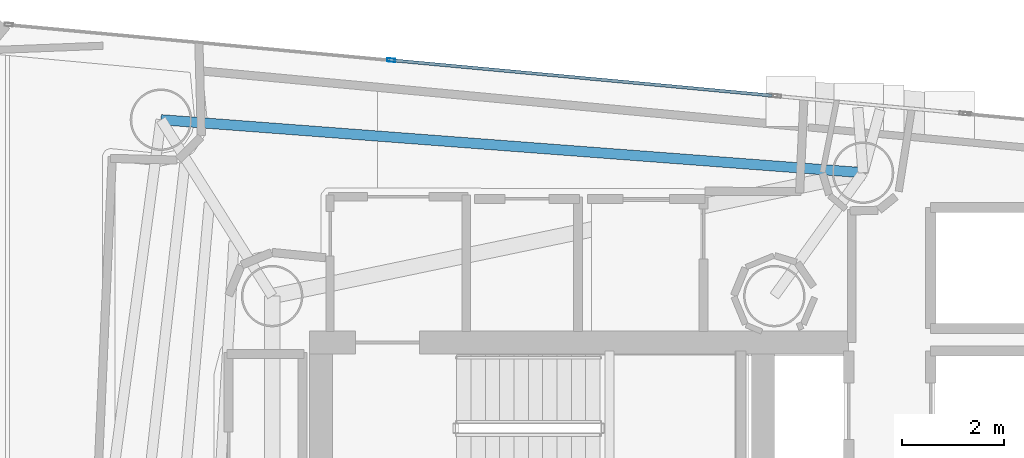
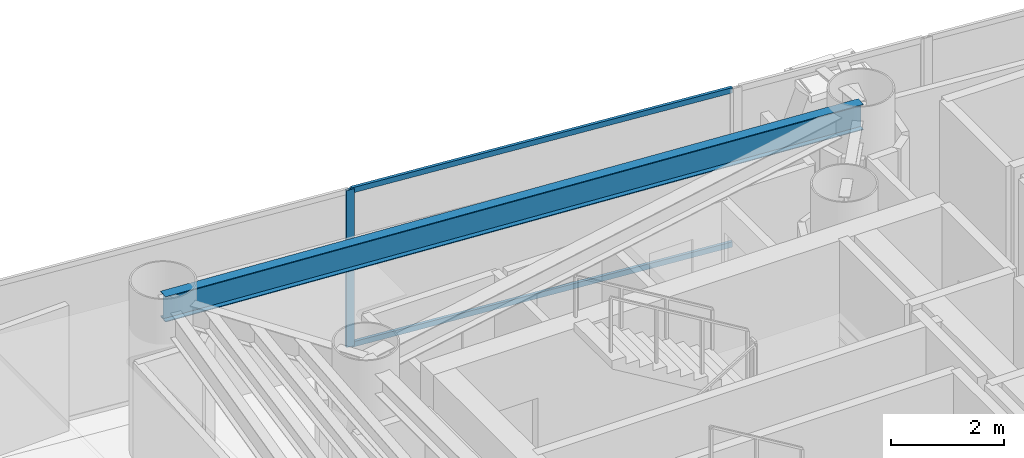
# One storey, part 11 of 20: 3 members, 1 beam, 1 element without a shape of its own.
"""IFC4 building model written with IfcOpenShell, lengths in metres."""

from ifc_helpers import new_model, si_unit, direction, frame, origin, origin_2d, place, context, subcontext, project, spatial, hollow_rectangle, i_section, extrude, material, layer, layer_set, material_profile, profile_set, type_object, element, aggregate, save


model = new_model("IFC4")

# Units and contexts
model_context = context("Model", 3, precision=1e-05, world=origin(), true_north=direction((0.0, 1.0)))
body_context = subcontext(model_context, "Body", "Model", "MODEL_VIEW")
ifc_project = project(units=[si_unit("LENGTHUNIT", "METRE"), si_unit("AREAUNIT", "SQUARE_METRE"), si_unit("VOLUMEUNIT", "CUBIC_METRE"), si_unit("PLANEANGLEUNIT", "RADIAN"), si_unit("MASSUNIT", "GRAM", prefix="KILO")], contexts=[model_context])

# Site, building, storey
site_placement = place(None, origin())
site = spatial("IfcSite", under=ifc_project, at=site_placement, CompositionType="ELEMENT")
building_placement = place(site_placement, origin())
building = spatial("IfcBuilding", under=site, at=building_placement, Name="Qianvela Tower", CompositionType="ELEMENT")
storey_placement = place(building_placement, frame((0.0, 0.0, 226.199951171875)))
storey = spatial("IfcBuildingStorey", under=building, at=storey_placement, Name="L58", CompositionType="ELEMENT", Elevation=226.199951171875)

# Beam
ifc_material_1 = material(Name="Steel Q355B", Category="steel")
ifc_material_profile_1 = material_profile(ifc_material_1, i_section(OverallWidth=0.199951171875, OverallDepth=0.550048828125, WebThickness=0.010009765625, FlangeThickness=0.01611328125, at=origin_2d()), Name="HN550x200x10x16")
ifc_profile_set_1 = profile_set([ifc_material_profile_1], Name="Steel Q355B")
beam_type = type_object("IfcBeamType", Name="BM-HN550-GIRD", PredefinedType="BEAM", material=ifc_profile_set_1)
beam_placement = place(storey_placement, frame((40.131103515625, 35.9580078125, 3.123046875), z_axis=(-0.997164346928, 0.075254669065, 0.0), x_axis=(-0.075254669065, -0.997164346928, 0.0)))
element("IfcBeam", 1, at=beam_placement, inside=storey, type_object=beam_type, Name="L58 Perimeter Ring Spandrel Girder 2", PredefinedType="BEAM", context=body_context, shape_type="SweptSolid", body=[
    extrude(i_section(OverallWidth=0.199951171875, OverallDepth=0.550048828125, WebThickness=0.010009765625, FlangeThickness=0.01611328125, at=origin_2d()), origin(), (0.0, 0.0, 1.0), 13.7392578125),
])

# Curtain wall, members
ifc_material_2 = material(Name="Anodised Architectural Aluminium and Low-E Glass", Category="aluminium")
ifc_layer = layer(ifc_material_2, 0.159912109375)
ifc_layer_set = layer_set([ifc_layer], Name="Anodised Architectural Aluminium and Low-E Glass")
curtain_wall_type = type_object("IfcCurtainWallType", Name="CW-COLIV-Z56", PredefinedType="USERDEFINED", material=ifc_layer_set)
curtain_wall_placement = place(storey_placement, origin())
curtain_wall = element("IfcCurtainWall", 2, at=curtain_wall_placement, inside=storey, type_object=curtain_wall_type, Name="L58 CW-COLIV-Z56 Curtain Wall 02C", ObjectType="CURTAIN_WALL_SYSTEM", PredefinedType="USERDEFINED")
ifc_material_3 = material(Name="Anodised Architectural Aluminium 6063-T6", Category="aluminium")
ifc_material_profile_2 = material_profile(ifc_material_3, hollow_rectangle(XDim=0.06494140625, YDim=0.159912109375, WallThickness=0.0048828125, at=origin_2d()), Name="ALU-MULL-65x160")
ifc_profile_set_2 = profile_set([ifc_material_profile_2], Name="Anodised Architectural Aluminium 6063-T6")
member_type_1 = type_object("IfcMemberType", Name="CW-COLIV-Z56-MULL", PredefinedType="MULLION", material=ifc_profile_set_2)
member_1_placement = place(storey_placement, frame((30.9248046875, 38.1533203125, 0.0), z_axis=(0.0, 0.0, 1.0), x_axis=(-0.092600398507, -0.995703352508, 0.0)))
member_1 = element("IfcMember", 3, at=member_1_placement, type_object=member_type_1, Name="CW-5 mullion 2", PredefinedType="MULLION", context=body_context, shape_type="SweptSolid", body=[
    extrude(hollow_rectangle(XDim=0.06494140625, YDim=0.159912109375, WallThickness=0.0048828125, at=origin_2d()), origin(), (0.0, 0.0, 1.0), 3.400146484375),
])
ifc_material_4 = material(Name="Anodised Architectural Aluminium 6063-T6", Category="aluminium")
ifc_material_profile_3 = material_profile(ifc_material_4, hollow_rectangle(XDim=0.06005859375, YDim=0.114990234375, WallThickness=0.00390625, at=origin_2d()), Name="ALU-TRAN-60x115")
ifc_profile_set_3 = profile_set([ifc_material_profile_3], Name="Anodised Architectural Aluminium 6063-T6")
member_type_2 = type_object("IfcMemberType", Name="CW-COLIV-Z56-TRAN", PredefinedType="USERDEFINED", material=ifc_profile_set_3)
member_2_placement = place(storey_placement, frame((38.355712890625, 37.462158203125, 0.030029296875), z_axis=(-0.995704175273, 0.092591551146, 0.0), x_axis=(-0.092591551146, -0.995704175273, 0.0)))
member_2 = element("IfcMember", 4, at=member_2_placement, type_object=member_type_2, Name="CW-5 transom 1.1", ObjectType="TRANSOM", PredefinedType="USERDEFINED", context=body_context, shape_type="SweptSolid", body=[
    extrude(hollow_rectangle(XDim=0.06005859375, YDim=0.114990234375, WallThickness=0.00390625, at=origin_2d()), origin(), (0.0, 0.0, 1.0), 7.430419921875),
])
member_3_placement = place(storey_placement, frame((38.355712890625, 37.462158203125, 3.3701171875), z_axis=(-0.995704175273, 0.092591551146, 0.0), x_axis=(-0.092591551146, -0.995704175273, 0.0)))
member_3 = element("IfcMember", 5, at=member_3_placement, type_object=member_type_2, Name="CW-5 transom 1.2", ObjectType="TRANSOM", PredefinedType="USERDEFINED", context=body_context, shape_type="SweptSolid", body=[
    extrude(hollow_rectangle(XDim=0.06005859375, YDim=0.114990234375, WallThickness=0.00390625, at=origin_2d()), origin(), (0.0, 0.0, 1.0), 7.430419921875),
])
aggregate(curtain_wall, [member_1, member_2, member_3])

save(model, "model.ifc")
